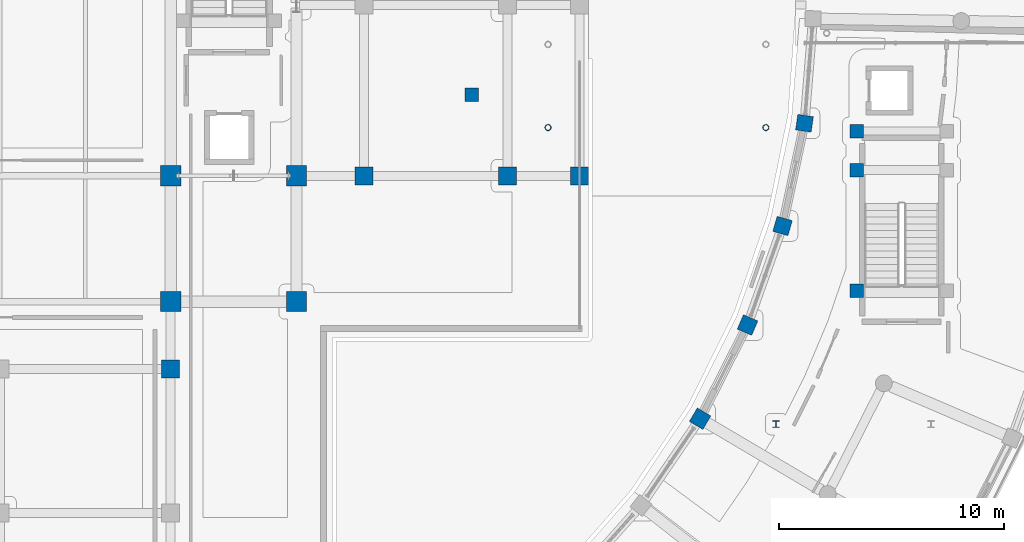
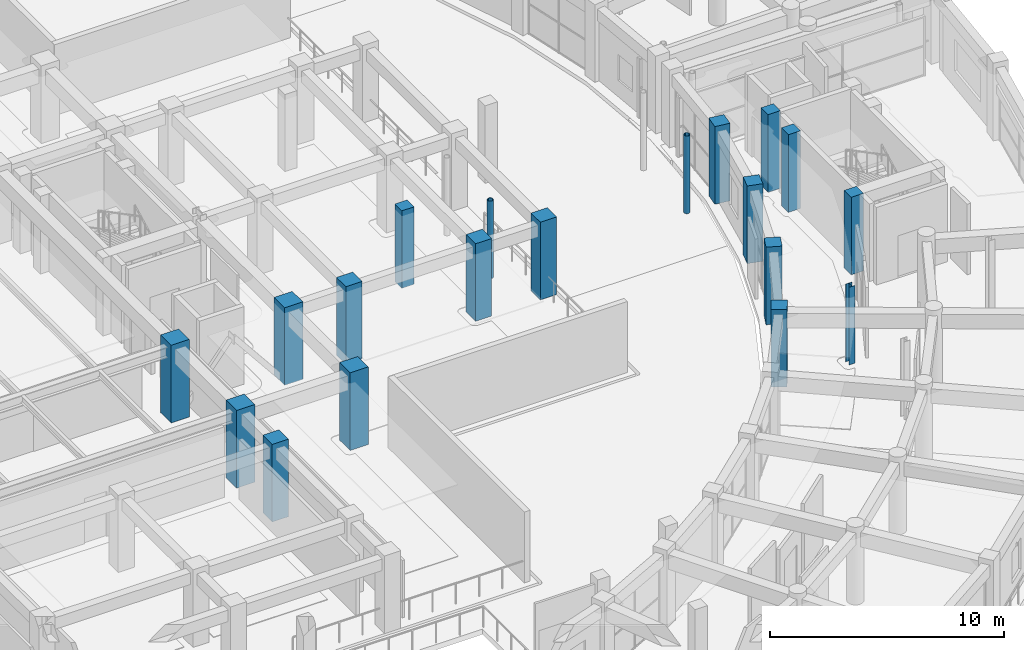
# One storey, part 8 of 87: 19 columns.
"""IFC4 building model written with IfcOpenShell, lengths in metres."""

from ifc_helpers import new_model, si_unit, direction, frame, origin, origin_2d, place, context, subcontext, project, spatial, rectangle, hollow_circle, i_section, extrude, material, material_profile, profile_set, type_object, element, save


model = new_model("IFC4")

# Units and contexts
model_context = context("Model", 3, precision=1e-05, world=origin(), true_north=direction((0.0, 1.0)))
body_context = subcontext(model_context, "Body", "Model", "MODEL_VIEW")
ifc_project = project(units=[si_unit("LENGTHUNIT", "METRE"), si_unit("AREAUNIT", "SQUARE_METRE"), si_unit("VOLUMEUNIT", "CUBIC_METRE"), si_unit("PLANEANGLEUNIT", "RADIAN"), si_unit("MASSUNIT", "GRAM", prefix="KILO")], contexts=[model_context])

# Site, building, storey
site_placement = place(None, origin())
site = spatial("IfcSite", under=ifc_project, at=site_placement, CompositionType="ELEMENT")
building_placement = place(site_placement, origin())
building = spatial("IfcBuilding", under=site, at=building_placement, Name="Saryqyr Civic Hall", CompositionType="ELEMENT")
storey_placement = place(building_placement, frame((0.0, 0.0, 5.10009765625)))
storey = spatial("IfcBuildingStorey", under=building, at=storey_placement, Name="L01", CompositionType="ELEMENT", Elevation=5.10009765625)

# Columns
ifc_material_1 = material(Name="Steel S355", Category="steel")
ifc_material_profile_1 = material_profile(ifc_material_1, hollow_circle(Radius=0.136474609375, WallThickness=0.01611328125, at=origin_2d()), Name="CHS 273x16")
ifc_profile_set_1 = profile_set([ifc_material_profile_1], Name="Steel S355")
column_type_1 = type_object("IfcColumnType", Name="STR-COL-CHS273-S355", PredefinedType="COLUMN", material=ifc_profile_set_1)
for number, where, z_axis, x_axis, name in (
    (1, (81.39990234375, 78.550048828125, 0.0), (0.0, 0.0, 1.0), (1.0, 0.0, 0.0), "Column BRCOL-BR-CE-1-L01"),
    (2, (91.09765625, 78.550048828125, 0.0), (0.0, 0.0, 1.0), (1.0, 0.0, 0.0), "Column BRCOL-BR-CE-2-L01"),
):
    element("IfcColumn", number, at=place(storey_placement, frame(where, z_axis=z_axis, x_axis=x_axis)), inside=storey, type_object=column_type_1, Name=name, PredefinedType="COLUMN", context=body_context, shape_type="SweptSolid", body=[
        extrude(hollow_circle(Radius=0.136474609375, WallThickness=0.01611328125, at=origin_2d()), origin(), (0.0, 0.0, 1.0), 4.0498046875),
    ])
ifc_material_profile_2 = material_profile(ifc_material_1, i_section(OverallWidth=0.300048828125, OverallDepth=0.2900390625, WebThickness=0.008544921875, FlangeThickness=0.013916015625, at=origin_2d()), Name="HEA 300")
ifc_profile_set_2 = profile_set([ifc_material_profile_2], Name="Steel S355")
column_type_2 = type_object("IfcColumnType", Name="STR-COL-HEA300-S355", PredefinedType="COLUMN", material=ifc_profile_set_2)
column_placement = place(storey_placement, frame((91.550048828125, 65.35009765625, 0.0), z_axis=(0.0, 0.0, 1.0), x_axis=(1.0, 0.0, 0.0)))
element("IfcColumn", 3, at=column_placement, inside=storey, type_object=column_type_2, Name="Column RGV5-COL-4-L01", PredefinedType="COLUMN", context=body_context, shape_type="SweptSolid", body=[
    extrude(i_section(OverallWidth=0.300048828125, OverallDepth=0.2900390625, WebThickness=0.008544921875, FlangeThickness=0.013916015625, at=origin_2d()), origin(), (0.0, 0.0, 1.0), 4.0498046875),
])
ifc_material_2 = material(Name="Concrete C40/50", Category="concrete")
ifc_material_profile_3 = material_profile(ifc_material_2, rectangle(XDim=0.60009765625, YDim=0.60009765625, at=origin_2d()), Name="RC 600x600")
ifc_profile_set_3 = profile_set([ifc_material_profile_3], Name="Concrete C40/50")
column_type_3 = type_object("IfcColumnType", Name="STR-COL-RC600-C40", PredefinedType="COLUMN", material=ifc_profile_set_3)
for number, where, z_axis, x_axis, name in (
    (4, (95.139892578125, 71.27490234375, 0.0), (0.0, 0.0, 1.0), (1.0, 0.0, 0.0), "Column ST-5-SCOL-TRMB-L01"),
    (5, (95.139892578125, 76.64990234375, 0.0), (0.0, 0.0, 1.0), (1.0, 0.0, 0.0), "Column ST-5-SCOL-LND1B-L01"),
    (6, (95.139892578125, 78.3798828125, 0.0), (0.0, 0.0, 1.0), (1.0, 0.0, 0.0), "Column ST-5-SCOL-LND2B-L01"),
    (7, (78.0, 80.0, 0.0), (0.0, 0.0, 1.0), (1.0, 0.0, 0.0), "Column V2-XCOL-04-L01"),
):
    element("IfcColumn", number, at=place(storey_placement, frame(where, z_axis=z_axis, x_axis=x_axis)), inside=storey, type_object=column_type_3, Name=name, PredefinedType="COLUMN", context=body_context, shape_type="SweptSolid", body=[
        extrude(rectangle(XDim=0.60009765625, YDim=0.60009765625, at=origin_2d()), origin(), (0.0, 0.0, 1.0), 4.0498046875),
    ])
ifc_material_profile_4 = material_profile(ifc_material_2, rectangle(XDim=0.699951171875, YDim=0.699951171875, at=origin_2d()), Name="RC 700x700")
ifc_profile_set_4 = profile_set([ifc_material_profile_4], Name="Concrete C40/50")
column_type_4 = type_object("IfcColumnType", Name="STR-COL-RC700-C40", PredefinedType="COLUMN", material=ifc_profile_set_4)
for number, where, z_axis, x_axis, name in (
    (8, (88.16845703125, 65.589111328125, 0.0), (0.0, 0.0, 1.0), (0.861008442465, -0.508590662521, 0.0), "Column V5-COL-IN06-L01"),
    (9, (90.281494140625, 69.759521484375, 0.0), (0.0, 0.0, 1.0), (0.919410138581, -0.393300136124, 0.0), "Column V5-COL-IN07-L01"),
    (10, (91.839111328125, 74.167724609375, 0.0), (0.0, 0.0, 1.0), (0.962407846499, -0.271608425858, 0.0), "Column V5-COL-IN08-L01"),
    (11, (92.81591796875, 78.739990234375, 0.0), (0.0, 0.0, 1.0), (0.989374077068, -0.145392350643, 0.0), "Column V5-COL-IN09-L01"),
):
    element("IfcColumn", number, at=place(storey_placement, frame(where, z_axis=z_axis, x_axis=x_axis)), inside=storey, type_object=column_type_4, Name=name, PredefinedType="COLUMN", context=body_context, shape_type="SweptSolid", body=[
        extrude(rectangle(XDim=0.699951171875, YDim=0.699951171875, at=origin_2d()), origin(), (0.0, 0.0, 1.0), 4.0498046875),
    ])
ifc_material_profile_5 = material_profile(ifc_material_2, rectangle(XDim=0.800048828125, YDim=0.800048828125, at=origin_2d()), Name="RC 800x800")
ifc_profile_set_5 = profile_set([ifc_material_profile_5], Name="Concrete C40/50")
column_type_5 = type_object("IfcColumnType", Name="STR-COL-RC800-C40", PredefinedType="COLUMN", material=ifc_profile_set_5)
for number, where, z_axis, x_axis, name in (
    (12, (73.199951171875, 76.39990234375, 0.0), (0.0, 0.0, 1.0), (1.0, 0.0, 0.0), "Column V1-COL-S3P04-L01"),
    (13, (64.60009765625, 67.800048828125, 0.0), (0.0, 0.0, 1.0), (1.0, 0.0, 0.0), "Column V1-COL-S3P09-L01"),
    (14, (79.60009765625, 76.39990234375, 0.0), (0.0, 0.0, 1.0), (1.0, 0.0, 0.0), "Column V1-COL-S1P04-L01"),
    (15, (82.800048828125, 76.39990234375, 0.0), (0.0, 0.0, 1.0), (1.0, 0.0, 0.0), "Column V1-COL-S0P04-L01"),
):
    element("IfcColumn", number, at=place(storey_placement, frame(where, z_axis=z_axis, x_axis=x_axis)), inside=storey, type_object=column_type_5, Name=name, PredefinedType="COLUMN", context=body_context, shape_type="SweptSolid", body=[
        extrude(rectangle(XDim=0.800048828125, YDim=0.800048828125, at=origin_2d()), origin(), (0.0, 0.0, 1.0), 4.0498046875),
    ])
ifc_material_profile_6 = material_profile(ifc_material_2, rectangle(XDim=0.89990234375, YDim=0.89990234375, at=origin_2d()), Name="RC 900x900")
ifc_profile_set_6 = profile_set([ifc_material_profile_6], Name="Concrete C40/50")
column_type_6 = type_object("IfcColumnType", Name="STR-COL-RC900-C40", PredefinedType="COLUMN", material=ifc_profile_set_6)
for number, where, z_axis, x_axis, name in (
    (16, (64.60009765625, 70.800048828125, 0.0), (0.0, 0.0, 1.0), (1.0, 0.0, 0.0), "Column V1-COL-C31-L01"),
    (17, (64.60009765625, 76.39990234375, 0.0), (0.0, 0.0, 1.0), (1.0, 0.0, 0.0), "Column V1-COL-C32-L01"),
    (18, (70.199951171875, 70.800048828125, 0.0), (0.0, 0.0, 1.0), (1.0, 0.0, 0.0), "Column V1-COL-C41-L01"),
    (19, (70.199951171875, 76.39990234375, 0.0), (0.0, 0.0, 1.0), (1.0, 0.0, 0.0), "Column V1-COL-C42-L01"),
):
    element("IfcColumn", number, at=place(storey_placement, frame(where, z_axis=z_axis, x_axis=x_axis)), inside=storey, type_object=column_type_6, Name=name, PredefinedType="COLUMN", context=body_context, shape_type="SweptSolid", body=[
        extrude(rectangle(XDim=0.89990234375, YDim=0.89990234375, at=origin_2d()), origin(), (0.0, 0.0, 1.0), 4.0498046875),
    ])

save(model, "model.ifc")
